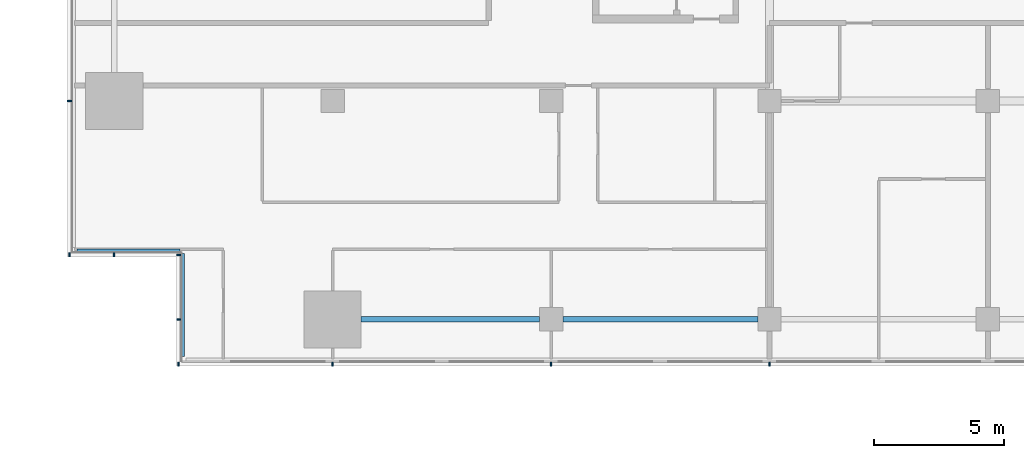
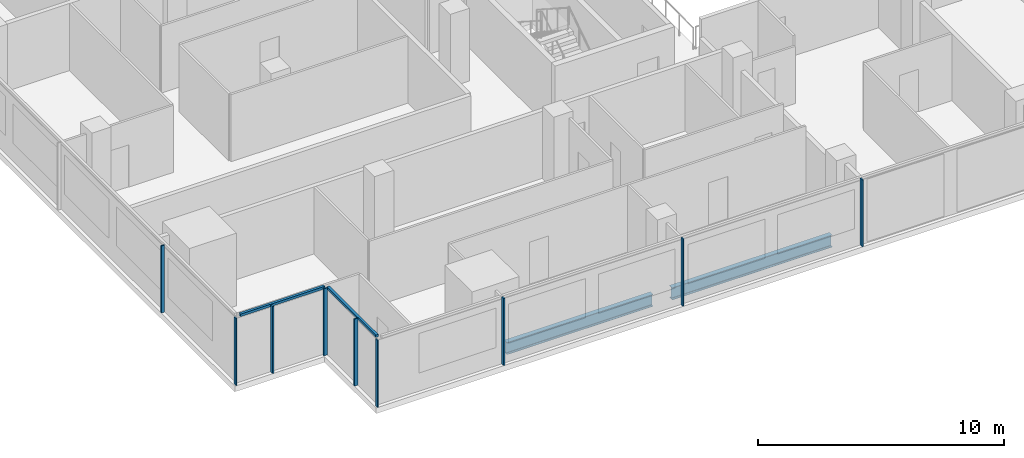
# One storey, part 2 of 30: 11 members, 2 beams, 4 elements without a shape of their own.
"""IFC4 building model written with IfcOpenShell, lengths in metres."""

import ifcopenshell
import ifcopenshell.guid

model = None  # the IFC model being written
_history = None  # IfcOwnerHistory: only IFC2X3 demands one
_inside = {}  # id of a spatial element -> (the spatial element, [elements in it])
_under = {}  # id of a project, library or spatial element -> (it, [spatial elements below it])
_declared = {}  # id of a project -> (the project, [libraries it declares])
_typed = {}  # id of a type object -> (the type object, [elements of that type])
_made_of = {}  # id of a material, layer set ... -> (it, [elements and type objects made of it])


def new_model(schema):
    """Start an empty IFC model of exactly this schema.

    Asked for "IFC4X3", IfcOpenShell would pick the latest addendum, in which some entities
    have other attributes; the version numbers below select the first issue.
    IFC2X3 requires an IfcOwnerHistory on every rooted entity: one is made here for all.
    """
    global model, _history
    if schema == "IFC4X3":
        model = ifcopenshell.file(schema_version=(4, 3, 0, 0))
    else:
        model = ifcopenshell.file(schema=schema)
    _inside.clear()
    _under.clear()
    _declared.clear()
    _typed.clear()
    _made_of.clear()
    _history = None
    if model.schema == "IFC2X3":
        org = make("IfcOrganization", Name="unknown")
        user = make(
            "IfcPersonAndOrganization",
            ThePerson=make("IfcPerson", FamilyName="unknown"),
            TheOrganization=org,
        )
        app = make(
            "IfcApplication",
            ApplicationDeveloper=org,
            Version="unknown",
            ApplicationFullName="unknown",
            ApplicationIdentifier="unknown",
        )
        _history = make(
            "IfcOwnerHistory",
            OwningUser=user,
            OwningApplication=app,
            ChangeAction="ADDED",
            CreationDate=0,
        )
    return model


def make(cls, **values):
    """One entity of the class cls with the attributes given. An attribute that is None is left unset."""
    return model.create_entity(
        cls, **{name: value for name, value in values.items() if value is not None}
    )


def rooted(cls, **values):
    """An entity with a GlobalId (a new one), such as an element, a storey or a relation."""
    return make(cls, GlobalId=ifcopenshell.guid.new(), OwnerHistory=_history, **values)


def si_unit(unit_type, name, prefix=None):
    """IfcSIUnit, for example si_unit("LENGTHUNIT", "METRE", prefix="MILLI")."""
    return make("IfcSIUnit", UnitType=unit_type, Prefix=prefix, Name=name)


def assignment(units):
    """IfcUnitAssignment: the units of a project."""
    return None if units is None else make("IfcUnitAssignment", Units=units)


def point(xyz):
    """IfcCartesianPoint."""
    return None if xyz is None else make("IfcCartesianPoint", Coordinates=xyz)


def direction(xyz):
    """IfcDirection."""
    return None if xyz is None else make("IfcDirection", DirectionRatios=xyz)


def frame(location, z_axis=None, x_axis=None):
    """IfcAxis2Placement3D, a coordinate frame: its origin and axes. An axis left out is left unset."""
    return make(
        "IfcAxis2Placement3D",
        Location=point(location),
        Axis=direction(z_axis),
        RefDirection=direction(x_axis),
    )


def frame_2d(location, x_axis=None):
    """IfcAxis2Placement2D, a coordinate frame in the plane: its origin and x axis."""
    return make(
        "IfcAxis2Placement2D", Location=point(location), RefDirection=direction(x_axis)
    )


def origin():
    """The frame at (0, 0, 0) with its axes left unset."""
    return frame((0.0, 0.0, 0.0))


def origin_2d():
    """The frame at (0, 0) in the plane with its x axis left unset."""
    return frame_2d((0.0, 0.0))


def place(relative_to, where):
    """IfcLocalPlacement: puts the frame where relative to a parent placement (None: the world)."""
    return make(
        "IfcLocalPlacement", PlacementRelTo=relative_to, RelativePlacement=where
    )


def context(
    kind, dimensions, precision=None, world=None, true_north=None, identifier=None
):
    """IfcGeometricRepresentationContext, for example the 3D "Model" context."""
    return make(
        "IfcGeometricRepresentationContext",
        ContextIdentifier=identifier,
        ContextType=kind,
        CoordinateSpaceDimension=dimensions,
        Precision=precision,
        WorldCoordinateSystem=world,
        TrueNorth=true_north,
    )


def subcontext(parent, identifier, kind, view, scale=None):
    """IfcGeometricRepresentationSubContext, for example "Body" below "Model"."""
    return make(
        "IfcGeometricRepresentationSubContext",
        ContextIdentifier=identifier,
        ContextType=kind,
        ParentContext=parent,
        TargetScale=scale,
        TargetView=view,
    )


def project(units=None, contexts=None):
    """IfcProject with its units and contexts."""
    return rooted(
        "IfcProject",
        Name="project",
        RepresentationContexts=contexts,
        UnitsInContext=assignment(units),
    )


def spatial(cls, under=None, at=None, **own):
    """A site, building, storey or space (cls), placed at a placement, below another one or the project."""
    s = rooted(cls, ObjectPlacement=at, **own)
    if under is not None:
        _under.setdefault(under.id(), (under, []))[1].append(s)
    return s


def profile(cls, at=None, kind="AREA", **sizes):
    """A parametric profile (cls). Its sizes go by their IFC names, for example OverallWidth=200.0."""
    return make(cls, ProfileType=kind, Position=at, **sizes)


def rectangle(**sizes):
    """IfcRectangleProfileDef."""
    return profile("IfcRectangleProfileDef", **sizes)


def i_section(**sizes):
    """IfcIShapeProfileDef."""
    return profile("IfcIShapeProfileDef", **sizes)


def extrude(swept, where, along, depth):
    """IfcExtrudedAreaSolid: the profile swept, set in the frame where, extruded along a direction by depth."""
    return make(
        "IfcExtrudedAreaSolid",
        SweptArea=swept,
        Position=where,
        ExtrudedDirection=direction(along),
        Depth=depth,
    )


def shape(context_of_items, identifier, shape_type, items):
    """IfcShapeRepresentation: the items that make up one representation, for example the "Body"."""
    return make(
        "IfcShapeRepresentation",
        ContextOfItems=context_of_items,
        RepresentationIdentifier=identifier,
        RepresentationType=shape_type,
        Items=items,
    )


def material(Name=None, Category=None):
    """IfcMaterial."""
    return make("IfcMaterial", Name=Name, Category=Category)


def material_profile(
    of_material, cross_section, Name=None, Category=None, Priority=None
):
    """IfcMaterialProfile: a cross section and its material."""
    return make(
        "IfcMaterialProfile",
        Name=Name,
        Material=of_material,
        Profile=cross_section,
        Priority=Priority,
        Category=Category,
    )


def profile_set(profiles, Name=None, composite=None):
    """IfcMaterialProfileSet."""
    return make(
        "IfcMaterialProfileSet",
        Name=Name,
        MaterialProfiles=profiles,
        CompositeProfile=composite,
    )


def made_of(thing, what):
    """Note that an element or type object is made of a material, layer set ...; save() writes the relation."""
    if what is not None:
        _made_of.setdefault(what.id(), (what, []))[1].append(thing)
    return thing


def type_object(cls, material=None, **own):
    """A type object (cls), such as IfcWallType, which elements share."""
    return made_of(rooted(cls, **own), material)


def element(
    cls,
    number,
    at=None,
    inside=None,
    cuts=None,
    type_object=None,
    material=None,
    context=None,
    identifier="Body",
    shape_type=None,
    held_by="IfcProductDefinitionShape",
    body=None,
    shapes=None,
    **own,
):
    """One element of the class cls, such as IfcWall. Its Tag is "e" and its number.

    at: its placement. inside: the storey or other place that contains it. cuts: it is an
    opening in that element (IfcRelVoidsElement). A single representation is given by context,
    identifier, shape_type and body (its items); several are given by shapes. held_by: the class
    of the entity that holds the representations. save() writes the other relations.
    """
    e = rooted(cls, Tag="e%d" % number, ObjectPlacement=at, **own)
    if body is not None:
        shapes = [shape(context, identifier, shape_type, body)]
    if shapes is not None:
        e.Representation = make(held_by, Representations=shapes)
    if inside is not None:
        _inside.setdefault(inside.id(), (inside, []))[1].append(e)
    if cuts is not None:
        rooted(
            "IfcRelVoidsElement", RelatingBuildingElement=cuts, RelatedOpeningElement=e
        )
    if type_object is not None:
        _typed.setdefault(type_object.id(), (type_object, []))[1].append(e)
    return made_of(e, material)


def aggregate(whole, parts):
    """IfcRelAggregates: a whole, such as a stair, and the parts it consists of."""
    return rooted("IfcRelAggregates", RelatingObject=whole, RelatedObjects=parts)


def save(model, path):
    """Write the relations noted so far, then the file.

    IfcRelAggregates (storeys below a building ...), IfcRelContainedInSpatialStructure (elements
    in a storey), IfcRelDefinesByType, IfcRelAssociatesMaterial and IfcRelDeclares: one each for
    every whole, place, type object, material and project.
    """
    for whole, parts in _under.values():
        aggregate(whole, parts)
    for where, things in _inside.values():
        rooted(
            "IfcRelContainedInSpatialStructure",
            RelatedElements=things,
            RelatingStructure=where,
        )
    for kind, things in _typed.values():
        rooted("IfcRelDefinesByType", RelatedObjects=things, RelatingType=kind)
    for what, things in _made_of.values():
        rooted("IfcRelAssociatesMaterial", RelatedObjects=things, RelatingMaterial=what)
    for by, libraries in _declared.values():
        rooted("IfcRelDeclares", RelatingContext=by, RelatedDefinitions=libraries)
    model.write(path)


model = new_model("IFC4")

# Units and contexts
model_context = context("Model", 3, precision=1e-05, world=origin(), true_north=direction((0.0, 1.0)))
body_context = subcontext(model_context, "Body", "Model", "MODEL_VIEW")
ifc_project = project(units=[si_unit("LENGTHUNIT", "METRE"), si_unit("AREAUNIT", "SQUARE_METRE"), si_unit("VOLUMEUNIT", "CUBIC_METRE"), si_unit("PLANEANGLEUNIT", "RADIAN"), si_unit("MASSUNIT", "GRAM", prefix="KILO")], contexts=[model_context])

# Site, building, storey
site_placement = place(None, origin())
site = spatial("IfcSite", under=ifc_project, at=site_placement, CompositionType="ELEMENT")
building_placement = place(site_placement, origin())
building = spatial("IfcBuilding", under=site, at=building_placement, Name="Saffron Gate Tower", CompositionType="ELEMENT")
storey_placement = place(building_placement, frame((0.0, 0.0, 69.60009765625)))
storey = spatial("IfcBuildingStorey", under=building, at=storey_placement, Name="L16", CompositionType="ELEMENT", Elevation=69.60009765625)

# Beams
ifc_material_1 = material(Name="Structural steel S355", Category="steel")
ifc_material_profile_1 = material_profile(ifc_material_1, i_section(OverallWidth=0.219970703125, OverallDepth=0.60009765625, WebThickness=0.011962890625, FlangeThickness=0.01904296875, FilletRadius=0.02392578125, at=origin_2d()))
ifc_profile_set_1 = profile_set([ifc_material_profile_1], Name="Structural steel S355")
beam_type = type_object("IfcBeamType", Name="B16 IPE 600", PredefinedType="SPANDREL", material=ifc_profile_set_1)
beam_1_placement = place(storey_placement, frame((59.300048828125, 31.800048828125, -0.580078125), z_axis=(1.0, 0.0, 0.0), x_axis=(0.0, 1.0, 0.0)))
element("IfcBeam", 1, at=beam_1_placement, inside=storey, type_object=beam_type, Name="B16 SPANDREL BEAM", PredefinedType="SPANDREL", context=body_context, shape_type="SweptSolid", body=[
    extrude(i_section(OverallWidth=0.219970703125, OverallDepth=0.60009765625, WebThickness=0.011962890625, FlangeThickness=0.01904296875, FilletRadius=0.02392578125, at=origin_2d()), origin(), (0.0, 0.0, 1.0), 6.849853515625),
])
beam_2_placement = place(storey_placement, frame((67.050048828125, 31.800048828125, -0.580078125), z_axis=(1.0, 0.0, 0.0), x_axis=(0.0, 1.0, 0.0)))
element("IfcBeam", 2, at=beam_2_placement, inside=storey, type_object=beam_type, Name="B16 SPANDREL BEAM", PredefinedType="SPANDREL", context=body_context, shape_type="SweptSolid", body=[
    extrude(i_section(OverallWidth=0.219970703125, OverallDepth=0.60009765625, WebThickness=0.011962890625, FlangeThickness=0.01904296875, FilletRadius=0.02392578125, at=origin_2d()), origin(), (0.0, 0.0, 1.0), 7.5),
])

# Curtain wall, members
ifc_material_2 = material(Name="Aluminium, bronze anodised", Category="aluminium")
curtain_wall_type_1 = type_object("IfcCurtainWallType", Name="CWS1 curtain wall front facade", PredefinedType="NOTDEFINED", material=ifc_material_2)
curtain_wall_1_placement = place(storey_placement, origin())
curtain_wall_1 = element("IfcCurtainWall", 3, at=curtain_wall_1_placement, inside=storey, type_object=curtain_wall_type_1, Name="CWS1 run 1", PredefinedType="NOTDEFINED")
ifc_material_profile_2 = material_profile(ifc_material_2, rectangle(XDim=0.159912109375, YDim=0.06005859375, at=origin_2d()))
ifc_profile_set_2 = profile_set([ifc_material_profile_2], Name="Aluminium, bronze anodised")
member_type_1 = type_object("IfcMemberType", Name="CWS1 mullion 60x160", PredefinedType="MULLION", material=ifc_profile_set_2)
member_1_placement = place(storey_placement, frame((52.280029296875, 30.080078125, 0.0), z_axis=(0.0, 0.0, 1.0), x_axis=(0.0, 1.0, 0.0)))
member_1 = element("IfcMember", 4, at=member_1_placement, type_object=member_type_1, Name="CWS1 mullion 1", PredefinedType="MULLION", context=body_context, shape_type="SweptSolid", body=[
    extrude(rectangle(XDim=0.159912109375, YDim=0.06005859375, at=origin_2d()), origin(), (0.0, 0.0, 1.0), 3.31982421875),
])
member_2_placement = place(storey_placement, frame((58.199951171875, 30.080078125, 0.0), z_axis=(0.0, 0.0, 1.0), x_axis=(0.0, 1.0, 0.0)))
member_2 = element("IfcMember", 5, at=member_2_placement, type_object=member_type_1, Name="CWS1 mullion 2", PredefinedType="MULLION", context=body_context, shape_type="SweptSolid", body=[
    extrude(rectangle(XDim=0.159912109375, YDim=0.06005859375, at=origin_2d()), origin(), (0.0, 0.0, 1.0), 3.31982421875),
])
member_3_placement = place(storey_placement, frame((66.60009765625, 30.080078125, 0.0), z_axis=(0.0, 0.0, 1.0), x_axis=(0.0, 1.0, 0.0)))
member_3 = element("IfcMember", 6, at=member_3_placement, type_object=member_type_1, Name="CWS1 mullion 3", PredefinedType="MULLION", context=body_context, shape_type="SweptSolid", body=[
    extrude(rectangle(XDim=0.159912109375, YDim=0.06005859375, at=origin_2d()), origin(), (0.0, 0.0, 1.0), 3.31982421875),
])
member_4_placement = place(storey_placement, frame((75.0, 30.080078125, 0.0), z_axis=(0.0, 0.0, 1.0), x_axis=(0.0, 1.0, 0.0)))
member_4 = element("IfcMember", 7, at=member_4_placement, type_object=member_type_1, Name="CWS1 mullion 4", PredefinedType="MULLION", context=body_context, shape_type="SweptSolid", body=[
    extrude(rectangle(XDim=0.159912109375, YDim=0.06005859375, at=origin_2d()), origin(), (0.0, 0.0, 1.0), 3.31982421875),
])
aggregate(curtain_wall_1, [member_1, member_2, member_3, member_4])

# Curtain wall, member
curtain_wall_type_2 = type_object("IfcCurtainWallType", Name="CWS2 curtain wall side facades", PredefinedType="NOTDEFINED", material=ifc_material_2)
curtain_wall_2_placement = place(storey_placement, origin())
curtain_wall_2 = element("IfcCurtainWall", 8, at=curtain_wall_2_placement, inside=storey, type_object=curtain_wall_type_2, Name="CWS2 run 10", PredefinedType="NOTDEFINED")
ifc_material_profile_3 = material_profile(ifc_material_2, rectangle(XDim=0.159912109375, YDim=0.06005859375, at=origin_2d()))
ifc_profile_set_3 = profile_set([ifc_material_profile_3], Name="Aluminium, bronze anodised")
member_type_2 = type_object("IfcMemberType", Name="CWS2 mullion 60x160", PredefinedType="MULLION", material=ifc_profile_set_3)
member_5_placement = place(storey_placement, frame((48.080078125, 40.199951171875, 0.0), z_axis=(0.0, 0.0, 1.0), x_axis=(1.0, 0.0, 0.0)))
member_5 = element("IfcMember", 9, at=member_5_placement, type_object=member_type_2, Name="CWS2 mullion 5", PredefinedType="MULLION", context=body_context, shape_type="SweptSolid", body=[
    extrude(rectangle(XDim=0.159912109375, YDim=0.06005859375, at=origin_2d()), origin(), (0.0, 0.0, 1.0), 3.31982421875),
])
aggregate(curtain_wall_2, [member_5])

curtain_wall_type_3 = type_object("IfcCurtainWallType", Name="CWS4 curtain wall corner returns", PredefinedType="NOTDEFINED", material=ifc_material_2)
curtain_wall_3_placement = place(storey_placement, origin())
curtain_wall_3 = element("IfcCurtainWall", 10, at=curtain_wall_3_placement, inside=storey, type_object=curtain_wall_type_3, Name="CWS4 run 11", PredefinedType="NOTDEFINED")
ifc_material_profile_4 = material_profile(ifc_material_2, rectangle(XDim=0.1201171875, YDim=0.1201171875, at=origin_2d()))
ifc_profile_set_4 = profile_set([ifc_material_profile_4], Name="Aluminium, bronze anodised")
member_type_3 = type_object("IfcMemberType", Name="CWS4 head transom", PredefinedType="USERDEFINED", material=ifc_profile_set_4)
member_6_placement = place(storey_placement, frame((48.367919921875, 34.447998046875, 3.260009765625), z_axis=(1.0, 0.0, 0.0), x_axis=(0.0, 1.0, 0.0)))
member_6 = element("IfcMember", 11, at=member_6_placement, type_object=member_type_3, Name="CWS4 head transom", ObjectType="TRANSOM", PredefinedType="USERDEFINED", context=body_context, shape_type="SweptSolid", body=[
    extrude(rectangle(XDim=0.1201171875, YDim=0.1201171875, at=origin_2d()), origin(), (0.0, 0.0, 1.0), 3.9599609375),
])

curtain_wall_4_placement = place(storey_placement, origin())
curtain_wall_4 = element("IfcCurtainWall", 12, at=curtain_wall_4_placement, inside=storey, type_object=curtain_wall_type_3, Name="CWS4 run 12", PredefinedType="NOTDEFINED")
member_7_placement = place(storey_placement, frame((52.447998046875, 34.327880859375, 3.260009765625), z_axis=(0.0, -1.0, 0.0), x_axis=(1.0, 0.0, 0.0)))
member_7 = element("IfcMember", 13, at=member_7_placement, type_object=member_type_3, Name="CWS4 head transom", ObjectType="TRANSOM", PredefinedType="USERDEFINED", context=body_context, shape_type="SweptSolid", body=[
    extrude(rectangle(XDim=0.1201171875, YDim=0.1201171875, at=origin_2d()), origin(), (0.0, 0.0, 1.0), 3.9599609375),
])

# Member
ifc_material_profile_5 = material_profile(ifc_material_2, rectangle(XDim=0.159912109375, YDim=0.06005859375, at=origin_2d()))
ifc_profile_set_5 = profile_set([ifc_material_profile_5], Name="Aluminium, bronze anodised")
member_type_4 = type_object("IfcMemberType", Name="CWS4 mullion 60x160", PredefinedType="MULLION", material=ifc_profile_set_5)
member_8_placement = place(storey_placement, frame((48.080078125, 34.280029296875, 0.0), z_axis=(0.0, 0.0, 1.0), x_axis=(0.0, 1.0, 0.0)))
member_8 = element("IfcMember", 14, at=member_8_placement, type_object=member_type_4, Name="CWS4 mullion 1", PredefinedType="MULLION", context=body_context, shape_type="SweptSolid", body=[
    extrude(rectangle(XDim=0.159912109375, YDim=0.06005859375, at=origin_2d()), origin(), (0.0, 0.0, 1.0), 3.31982421875),
])

member_9_placement = place(storey_placement, frame((49.800048828125, 34.280029296875, 0.0), z_axis=(0.0, 0.0, 1.0), x_axis=(0.0, 1.0, 0.0)))
member_9 = element("IfcMember", 15, at=member_9_placement, type_object=member_type_4, Name="CWS4 mullion 2", PredefinedType="MULLION", context=body_context, shape_type="SweptSolid", body=[
    extrude(rectangle(XDim=0.159912109375, YDim=0.06005859375, at=origin_2d()), origin(), (0.0, 0.0, 1.0), 3.31982421875),
])

aggregate(curtain_wall_3, [member_8, member_9, member_6])

member_10_placement = place(storey_placement, frame((52.280029296875, 34.280029296875, 0.0), z_axis=(0.0, 0.0, 1.0), x_axis=(1.0, 0.0, 0.0)))
member_10 = element("IfcMember", 16, at=member_10_placement, type_object=member_type_4, Name="CWS4 mullion 1", PredefinedType="MULLION", context=body_context, shape_type="SweptSolid", body=[
    extrude(rectangle(XDim=0.159912109375, YDim=0.06005859375, at=origin_2d()), origin(), (0.0, 0.0, 1.0), 3.31982421875),
])

member_11_placement = place(storey_placement, frame((52.280029296875, 31.800048828125, 0.0), z_axis=(0.0, 0.0, 1.0), x_axis=(1.0, 0.0, 0.0)))
member_11 = element("IfcMember", 17, at=member_11_placement, type_object=member_type_4, Name="CWS4 mullion 2", PredefinedType="MULLION", context=body_context, shape_type="SweptSolid", body=[
    extrude(rectangle(XDim=0.159912109375, YDim=0.06005859375, at=origin_2d()), origin(), (0.0, 0.0, 1.0), 3.31982421875),
])

aggregate(curtain_wall_4, [member_10, member_11, member_7])

save(model, "model.ifc")
